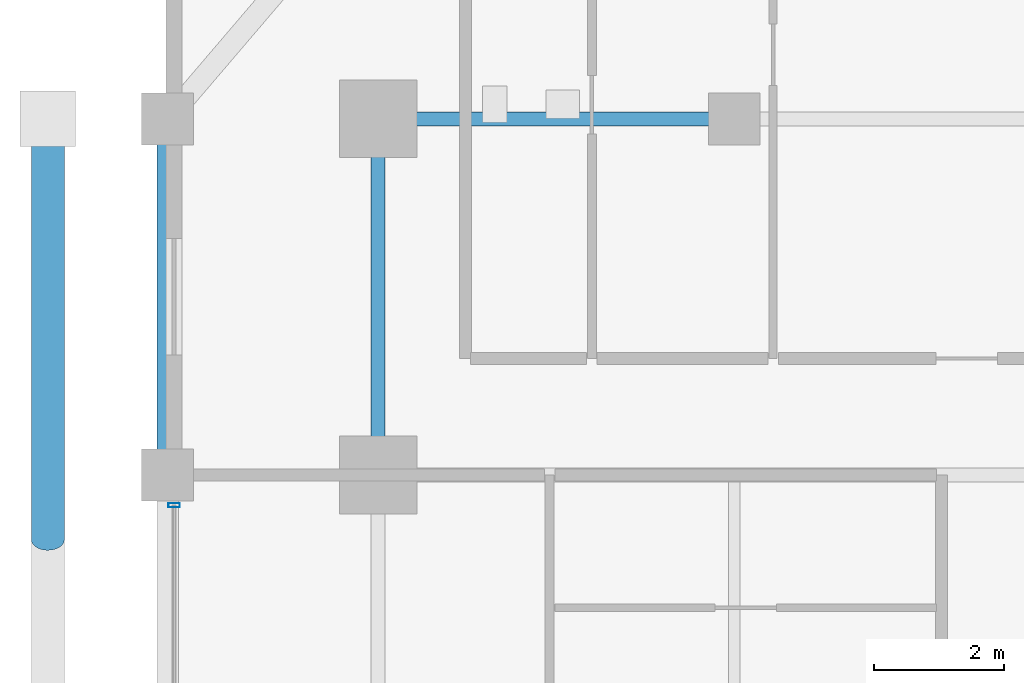
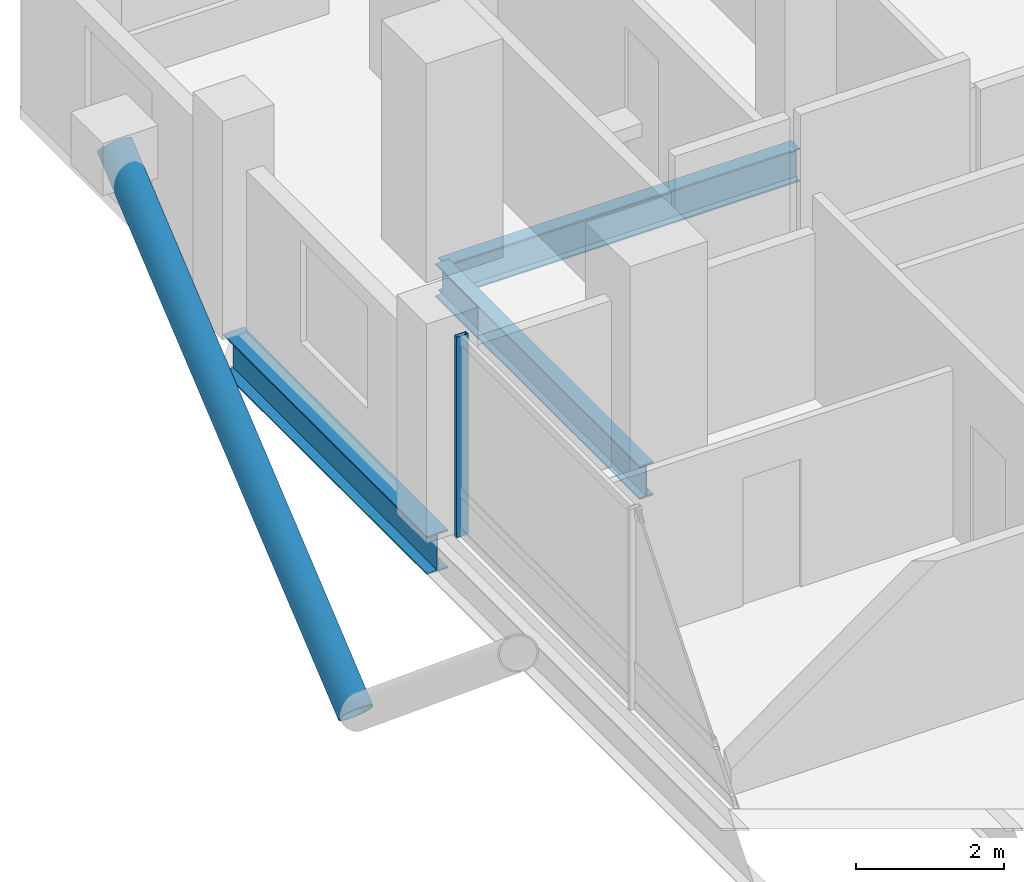
# One storey, part 11 of 23: 3 beams, 2 members, 1 element without a shape of its own.
"""IFC4 building model written with IfcOpenShell, lengths in metres."""

from ifc_helpers import new_model, si_unit, direction, frame, origin, origin_2d, place, context, subcontext, project, spatial, hollow_rectangle, hollow_circle, i_section, extrude, material, layer, layer_set, material_profile, profile_set, type_object, element, aggregate, save


model = new_model("IFC4")

# Units and contexts
model_context = context("Model", 3, precision=1e-05, world=origin(), true_north=direction((0.0, 1.0)))
body_context = subcontext(model_context, "Body", "Model", "MODEL_VIEW")
ifc_project = project(units=[si_unit("LENGTHUNIT", "METRE"), si_unit("AREAUNIT", "SQUARE_METRE"), si_unit("VOLUMEUNIT", "CUBIC_METRE"), si_unit("PLANEANGLEUNIT", "RADIAN"), si_unit("MASSUNIT", "GRAM", prefix="KILO")], contexts=[model_context])

# Site, building, storey
site_placement = place(None, origin())
site = spatial("IfcSite", under=ifc_project, at=site_placement, CompositionType="ELEMENT")
building_placement = place(site_placement, origin())
building = spatial("IfcBuilding", under=site, at=building_placement, Name="Barlavira Tower and Art Museum", CompositionType="ELEMENT")
storey_placement = place(building_placement, frame((0.0, 0.0, 117.0)))
storey = spatial("IfcBuildingStorey", under=building, at=storey_placement, Name="L29", CompositionType="ELEMENT", Elevation=117.0)

# Curtain wall, member
ifc_material_1 = material(Name="Low-iron coastal laminated glass", Category="glass")
ifc_layer = layer(ifc_material_1, 0.18994140625, Name="Low-iron coastal laminated glass")
ifc_layer_set = layer_set([ifc_layer], Name="Low-iron coastal laminated glass")
curtain_wall_type = type_object("IfcCurtainWallType", Name="Pale-Metal Unitised Curtain Wall Zone 2", PredefinedType="NOTDEFINED", material=ifc_layer_set)
curtain_wall_placement = place(storey_placement, origin())
curtain_wall = element("IfcCurtainWall", 1, at=curtain_wall_placement, inside=storey, type_object=curtain_wall_type, Name="L29 Curtain Wall CW2-L29-W-B3", PredefinedType="NOTDEFINED")
ifc_material_2 = material(Name="Pale anodised aluminium", Category="aluminium")
ifc_material_profile_1 = material_profile(ifc_material_2, hollow_rectangle(XDim=0.06494140625, YDim=0.179931640625, WallThickness=0.00390625, at=origin_2d()), Name="ALU-MULL 65x180x4")
ifc_profile_set_1 = profile_set([ifc_material_profile_1], Name="Pale anodised aluminium")
member_type_1 = type_object("IfcMemberType", Name="Curtain Wall Pale-Metal Mullion 65x180", PredefinedType="MULLION", material=ifc_profile_set_1)
member_1_placement = place(storey_placement, frame((-20.14990234375, 7.034912109375, 0.0), z_axis=(0.0, 0.0, 1.0), x_axis=(0.0, -1.0, 0.0)))
member_1 = element("IfcMember", 2, at=member_1_placement, type_object=member_type_1, Name="CW2-L29-W-B3 Mullion 0", PredefinedType="MULLION", context=body_context, shape_type="SweptSolid", body=[
    extrude(hollow_rectangle(XDim=0.06494140625, YDim=0.179931640625, WallThickness=0.00390625, at=origin_2d()), origin(), (0.0, 0.0, 1.0), 3.300048828125),
])
aggregate(curtain_wall, [member_1])

# Member
ifc_material_3 = material(Name="Steel S355", Category="steel")
ifc_material_profile_2 = material_profile(ifc_material_3, hollow_circle(Radius=0.25390625, WallThickness=0.022216796875, at=origin_2d()), Name="CHS 508.0x22.2")
ifc_profile_set_2 = profile_set([ifc_material_profile_2], Name="Steel S355")
member_type_2 = type_object("IfcMemberType", Name="Pale-Metal Exoskeleton Diagrid Tube CHS 508x22 Steel S355", PredefinedType="BRACE", material=ifc_profile_set_2)
member_2_placement = place(storey_placement, frame((-22.10009765625, 6.5, -1.919921875), z_axis=(0.0, 0.769196053329, 0.639012857104), x_axis=(-1.0, 0.0, 0.0)))
element("IfcMember", 3, at=member_2_placement, inside=storey, type_object=member_type_2, Name="L29 Exoskeleton Diagrid Tube W", PredefinedType="BRACE", context=body_context, shape_type="SweptSolid", body=[
    extrude(hollow_circle(Radius=0.25390625, WallThickness=0.022216796875, at=origin_2d()), origin(), (0.0, 0.0, 1.0), 8.450439453125),
])

# Beams
ifc_material_profile_3 = material_profile(ifc_material_3, i_section(OverallWidth=0.327880859375, OverallDepth=0.62890625, WebThickness=0.013916015625, FlangeThickness=0.021484375, at=origin_2d()), Name="W610x174.0")
ifc_profile_set_3 = profile_set([ifc_material_profile_3], Name="Steel S355")
beam_type_1 = type_object("IfcBeamType", Name="Perimeter Spandrel Edge Beam W610x174 Steel S355", PredefinedType="SPANDREL", material=ifc_profile_set_3)
beam_placement = place(storey_placement, frame((-20.25, 7.5, -0.534423828125), z_axis=(0.0, 1.0, 0.0), x_axis=(-1.0, 0.0, 0.0)))
element("IfcBeam", 4, at=beam_placement, inside=storey, type_object=beam_type_1, Name="L29 Spandrel 13", PredefinedType="SPANDREL", context=body_context, shape_type="SweptSolid", body=[
    extrude(i_section(OverallWidth=0.327880859375, OverallDepth=0.62890625, WebThickness=0.013916015625, FlangeThickness=0.021484375, at=origin_2d()), origin(), (0.0, 0.0, 1.0), 5.5),
])
ifc_material_profile_4 = material_profile(ifc_material_3, i_section(OverallWidth=0.214111328125, OverallDepth=0.549072265625, WebThickness=0.0146484375, FlangeThickness=0.023681640625, at=origin_2d()), Name="W530x138.0")
ifc_profile_set_4 = profile_set([ifc_material_profile_4], Name="Steel S355")
beam_type_2 = type_object("IfcBeamType", Name="Zone 1 Primary Floor Girder W530x138 Steel S355", PredefinedType="BEAM", material=ifc_profile_set_4)
for number, where, z_axis, x_axis, name in (
    (5, (-17.0, 7.5, -0.494384765625), (0.0, 1.0, 0.0), (-1.0, 0.0, 0.0), "L29 Girder M-W3"),
    (6, (-17.0, 13.0, -0.494384765625), (1.0, 0.0, 0.0), (0.0, 1.0, 0.0), "L29 Girder I-N1"),
):
    element("IfcBeam", number, at=place(storey_placement, frame(where, z_axis=z_axis, x_axis=x_axis)), inside=storey, type_object=beam_type_2, Name=name, PredefinedType="BEAM", context=body_context, shape_type="SweptSolid", body=[
        extrude(i_section(OverallWidth=0.214111328125, OverallDepth=0.549072265625, WebThickness=0.0146484375, FlangeThickness=0.023681640625, at=origin_2d()), origin(), (0.0, 0.0, 1.0), 5.5),
    ])

save(model, "model.ifc")
